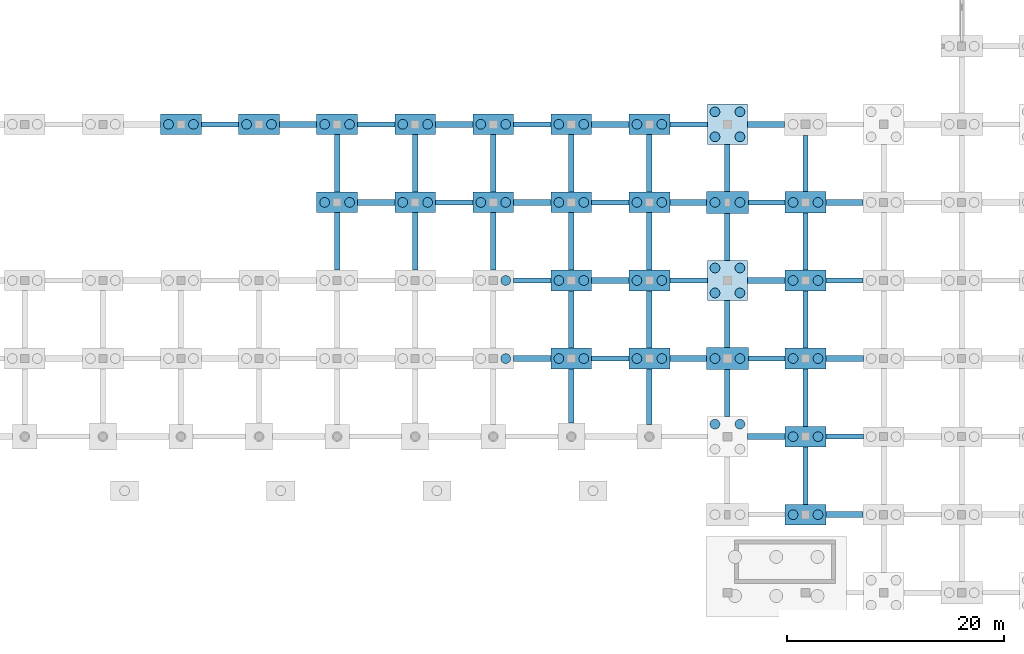
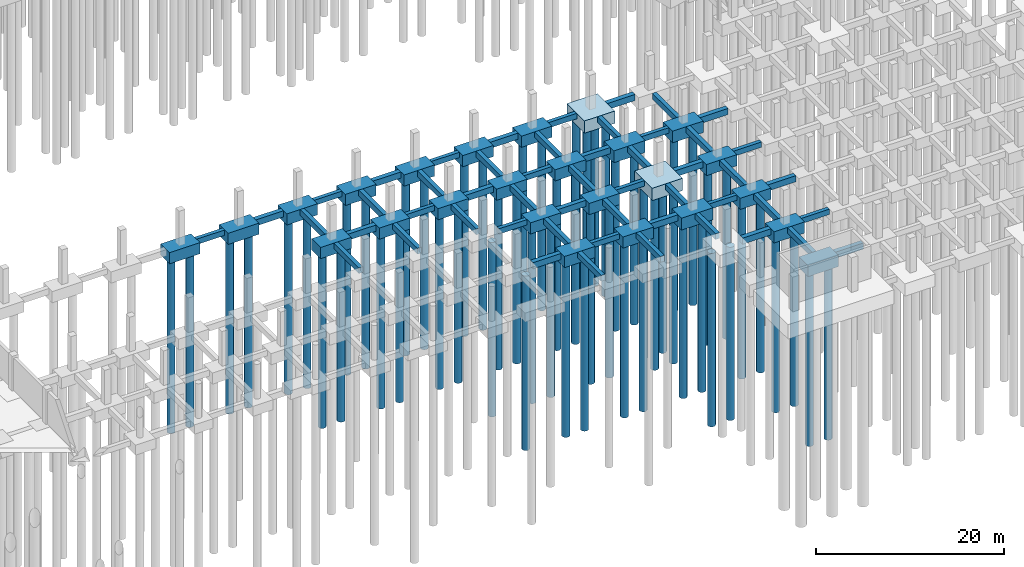
# One storey, part 5 of 36: 76 footings, 58 piles.
"""IFC4 building model written with IfcOpenShell, lengths in metres."""

from ifc_helpers import new_model, si_unit, direction, frame, origin, origin_2d, place, context, subcontext, project, spatial, rectangle, circle, extrude, material, material_profile, profile_set, type_object, element, save


model = new_model("IFC4")

# Units and contexts
model_context = context("Model", 3, precision=1e-05, world=origin(), true_north=direction((0.0, 1.0)))
body_context = subcontext(model_context, "Body", "Model", "MODEL_VIEW")
ifc_project = project(units=[si_unit("LENGTHUNIT", "METRE"), si_unit("AREAUNIT", "SQUARE_METRE"), si_unit("VOLUMEUNIT", "CUBIC_METRE"), si_unit("PLANEANGLEUNIT", "RADIAN"), si_unit("MASSUNIT", "GRAM", prefix="KILO")], contexts=[model_context])

# Site, building, storey
site_placement = place(None, origin())
site = spatial("IfcSite", under=ifc_project, at=site_placement, CompositionType="ELEMENT")
building_placement = place(site_placement, origin())
building = spatial("IfcBuilding", under=site, at=building_placement, Name="Kalmorath City Hall", CompositionType="ELEMENT")
storey_placement = place(building_placement, frame((0.0, 0.0, -4.5)))
storey = spatial("IfcBuildingStorey", under=building, at=storey_placement, Name="B1", CompositionType="ELEMENT", Elevation=-4.5)

# Piles
ifc_material_1 = material(Name="Concrete C40/50", Category="concrete")
ifc_material_profile_1 = material_profile(ifc_material_1, circle(Radius=0.449951171875, at=origin_2d()), Name="PILE-D900")
ifc_profile_set_1 = profile_set([ifc_material_profile_1], Name="Concrete C40/50")
pile_type = type_object("IfcPileType", Name="Bored concrete pile D900", PredefinedType="BORED", material=ifc_profile_set_1)
for number, where, z_axis, x_axis, name in (
    (1, (63.64990234375, 43.199951171875, -1.35009765625), (0.0, 0.0, -1.0), (1.0, 0.0, 0.0), "Bored pile PL-900 10.7.1"),
    (2, (65.949951171875, 43.199951171875, -1.35009765625), (0.0, 0.0, -1.0), (1.0, 0.0, 0.0), "Bored pile PL-900 10.7.2"),
    (3, (70.85009765625, 43.199951171875, -1.35009765625), (0.0, 0.0, -1.0), (1.0, 0.0, 0.0), "Bored pile PL-900 11.7.1"),
    (4, (73.14990234375, 43.199951171875, -1.35009765625), (0.0, 0.0, -1.0), (1.0, 0.0, 0.0), "Bored pile PL-900 11.7.2"),
    (5, (78.050048828125, 36.0, -1.35009765625), (0.0, 0.0, -1.0), (1.0, 0.0, 0.0), "Bored pile PL-900 12.6.1"),
    (6, (80.35009765625, 36.0, -1.35009765625), (0.0, 0.0, -1.0), (1.0, 0.0, 0.0), "Bored pile PL-900 12.6.2"),
    (7, (78.050048828125, 43.199951171875, -1.35009765625), (0.0, 0.0, -1.0), (1.0, 0.0, 0.0), "Bored pile PL-900 12.7.1"),
    (8, (80.35009765625, 43.199951171875, -1.35009765625), (0.0, 0.0, -1.0), (1.0, 0.0, 0.0), "Bored pile PL-900 12.7.2"),
    (9, (85.25, 36.0, -1.35009765625), (0.0, 0.0, -1.0), (1.0, 0.0, 0.0), "Bored pile PL-900 13.6.1"),
    (10, (87.550048828125, 36.0, -1.35009765625), (0.0, 0.0, -1.0), (1.0, 0.0, 0.0), "Bored pile PL-900 13.6.2"),
    (11, (85.25, 43.199951171875, -1.35009765625), (0.0, 0.0, -1.0), (1.0, 0.0, 0.0), "Bored pile PL-900 13.7.1"),
    (12, (87.550048828125, 43.199951171875, -1.35009765625), (0.0, 0.0, -1.0), (1.0, 0.0, 0.0), "Bored pile PL-900 13.7.2"),
    (13, (94.75, 21.60009765625, -1.35009765625), (0.0, 0.0, -1.0), (1.0, 0.0, 0.0), "Bored pile PL-900 14.4.2"),
    (14, (94.75, 28.800048828125, -1.35009765625), (0.0, 0.0, -1.0), (1.0, 0.0, 0.0), "Bored pile PL-900 14.5.2"),
    (15, (92.449951171875, 36.0, -1.35009765625), (0.0, 0.0, -1.0), (1.0, 0.0, 0.0), "Bored pile PL-900 14.6.1"),
    (16, (94.75, 36.0, -1.35009765625), (0.0, 0.0, -1.0), (1.0, 0.0, 0.0), "Bored pile PL-900 14.6.2"),
    (17, (92.449951171875, 43.199951171875, -1.35009765625), (0.0, 0.0, -1.0), (1.0, 0.0, 0.0), "Bored pile PL-900 14.7.1"),
    (18, (94.75, 43.199951171875, -1.35009765625), (0.0, 0.0, -1.0), (1.0, 0.0, 0.0), "Bored pile PL-900 14.7.2"),
    (19, (99.64990234375, 21.60009765625, -1.35009765625), (0.0, 0.0, -1.0), (1.0, 0.0, 0.0), "Bored pile PL-900 15.4.1"),
    (20, (101.949951171875, 21.60009765625, -1.35009765625), (0.0, 0.0, -1.0), (1.0, 0.0, 0.0), "Bored pile PL-900 15.4.2"),
    (21, (99.64990234375, 28.800048828125, -1.35009765625), (0.0, 0.0, -1.0), (1.0, 0.0, 0.0), "Bored pile PL-900 15.5.1"),
    (22, (101.949951171875, 28.800048828125, -1.35009765625), (0.0, 0.0, -1.0), (1.0, 0.0, 0.0), "Bored pile PL-900 15.5.2"),
    (23, (99.64990234375, 36.0, -1.35009765625), (0.0, 0.0, -1.0), (1.0, 0.0, 0.0), "Bored pile PL-900 15.6.1"),
    (24, (101.949951171875, 36.0, -1.35009765625), (0.0, 0.0, -1.0), (1.0, 0.0, 0.0), "Bored pile PL-900 15.6.2"),
    (25, (99.64990234375, 43.199951171875, -1.35009765625), (0.0, 0.0, -1.0), (1.0, 0.0, 0.0), "Bored pile PL-900 15.7.1"),
    (26, (101.949951171875, 43.199951171875, -1.35009765625), (0.0, 0.0, -1.0), (1.0, 0.0, 0.0), "Bored pile PL-900 15.7.2"),
    (27, (106.85009765625, 21.60009765625, -1.35009765625), (0.0, 0.0, -1.0), (1.0, 0.0, 0.0), "Bored pile PL-900 16.4.1"),
    (28, (109.14990234375, 21.60009765625, -1.35009765625), (0.0, 0.0, -1.0), (1.0, 0.0, 0.0), "Bored pile PL-900 16.4.2"),
    (29, (106.85009765625, 28.800048828125, -1.35009765625), (0.0, 0.0, -1.0), (1.0, 0.0, 0.0), "Bored pile PL-900 16.5.1"),
    (30, (109.14990234375, 28.800048828125, -1.35009765625), (0.0, 0.0, -1.0), (1.0, 0.0, 0.0), "Bored pile PL-900 16.5.2"),
    (31, (106.85009765625, 36.0, -1.35009765625), (0.0, 0.0, -1.0), (1.0, 0.0, 0.0), "Bored pile PL-900 16.6.1"),
    (32, (109.14990234375, 36.0, -1.35009765625), (0.0, 0.0, -1.0), (1.0, 0.0, 0.0), "Bored pile PL-900 16.6.2"),
    (33, (106.85009765625, 43.199951171875, -1.35009765625), (0.0, 0.0, -1.0), (1.0, 0.0, 0.0), "Bored pile PL-900 16.7.1"),
    (34, (109.14990234375, 43.199951171875, -1.35009765625), (0.0, 0.0, -1.0), (1.0, 0.0, 0.0), "Bored pile PL-900 16.7.2"),
):
    element("IfcPile", number, at=place(storey_placement, frame(where, z_axis=z_axis, x_axis=x_axis)), inside=storey, type_object=pile_type, Name=name, PredefinedType="BORED", context=body_context, shape_type="SweptSolid", body=[
        extrude(circle(Radius=0.449951171875, at=origin_2d()), origin(), (0.0, 0.0, 1.0), 22.64990234375),
    ])
for number, where, z_axis, x_axis, name in (
    (35, (114.050048828125, 15.550048828125, -1.5), (0.0, 0.0, -1.0), (1.0, 0.0, 0.0), "Bored pile PL-900 17.3.3"),
    (36, (116.35009765625, 15.550048828125, -1.5), (0.0, 0.0, -1.0), (1.0, 0.0, 0.0), "Bored pile PL-900 17.3.4"),
):
    element("IfcPile", number, at=place(storey_placement, frame(where, z_axis=z_axis, x_axis=x_axis)), inside=storey, type_object=pile_type, Name=name, PredefinedType="BORED", context=body_context, shape_type="SweptSolid", body=[
        extrude(circle(Radius=0.449951171875, at=origin_2d()), origin(), (0.0, 0.0, 1.0), 22.5),
    ])
for number, where, z_axis, x_axis, name in (
    (37, (114.050048828125, 21.60009765625, -1.449951171875), (0.0, 0.0, -1.0), (1.0, 0.0, 0.0), "Bored pile PL-900 17.4.1"),
    (38, (116.35009765625, 21.60009765625, -1.449951171875), (0.0, 0.0, -1.0), (1.0, 0.0, 0.0), "Bored pile PL-900 17.4.2"),
):
    element("IfcPile", number, at=place(storey_placement, frame(where, z_axis=z_axis, x_axis=x_axis)), inside=storey, type_object=pile_type, Name=name, PredefinedType="BORED", context=body_context, shape_type="SweptSolid", body=[
        extrude(circle(Radius=0.449951171875, at=origin_2d()), origin(), (0.0, 0.0, 1.0), 22.550048828125),
    ])
for number, where, z_axis, x_axis, name in (
    (39, (114.050048828125, 27.64990234375, -1.5), (0.0, 0.0, -1.0), (1.0, 0.0, 0.0), "Bored pile PL-900 17.5.1"),
    (40, (116.35009765625, 27.64990234375, -1.5), (0.0, 0.0, -1.0), (1.0, 0.0, 0.0), "Bored pile PL-900 17.5.2"),
    (41, (114.050048828125, 29.949951171875, -1.5), (0.0, 0.0, -1.0), (1.0, 0.0, 0.0), "Bored pile PL-900 17.5.3"),
    (42, (116.35009765625, 29.949951171875, -1.5), (0.0, 0.0, -1.0), (1.0, 0.0, 0.0), "Bored pile PL-900 17.5.4"),
):
    element("IfcPile", number, at=place(storey_placement, frame(where, z_axis=z_axis, x_axis=x_axis)), inside=storey, type_object=pile_type, Name=name, PredefinedType="BORED", context=body_context, shape_type="SweptSolid", body=[
        extrude(circle(Radius=0.449951171875, at=origin_2d()), origin(), (0.0, 0.0, 1.0), 22.5),
    ])
for number, where, z_axis, x_axis, name in (
    (43, (114.050048828125, 36.0, -1.449951171875), (0.0, 0.0, -1.0), (1.0, 0.0, 0.0), "Bored pile PL-900 17.6.1"),
    (44, (116.35009765625, 36.0, -1.449951171875), (0.0, 0.0, -1.0), (1.0, 0.0, 0.0), "Bored pile PL-900 17.6.2"),
):
    element("IfcPile", number, at=place(storey_placement, frame(where, z_axis=z_axis, x_axis=x_axis)), inside=storey, type_object=pile_type, Name=name, PredefinedType="BORED", context=body_context, shape_type="SweptSolid", body=[
        extrude(circle(Radius=0.449951171875, at=origin_2d()), origin(), (0.0, 0.0, 1.0), 22.550048828125),
    ])
for number, where, z_axis, x_axis, name in (
    (45, (114.050048828125, 42.050048828125, -1.5), (0.0, 0.0, -1.0), (1.0, 0.0, 0.0), "Bored pile PL-900 17.7.1"),
    (46, (116.35009765625, 42.050048828125, -1.5), (0.0, 0.0, -1.0), (1.0, 0.0, 0.0), "Bored pile PL-900 17.7.2"),
    (47, (114.050048828125, 44.35009765625, -1.5), (0.0, 0.0, -1.0), (1.0, 0.0, 0.0), "Bored pile PL-900 17.7.3"),
    (48, (116.35009765625, 44.35009765625, -1.5), (0.0, 0.0, -1.0), (1.0, 0.0, 0.0), "Bored pile PL-900 17.7.4"),
):
    element("IfcPile", number, at=place(storey_placement, frame(where, z_axis=z_axis, x_axis=x_axis)), inside=storey, type_object=pile_type, Name=name, PredefinedType="BORED", context=body_context, shape_type="SweptSolid", body=[
        extrude(circle(Radius=0.449951171875, at=origin_2d()), origin(), (0.0, 0.0, 1.0), 22.5),
    ])
for number, where, z_axis, x_axis, name in (
    (49, (121.25, 7.199951171875, -1.35009765625), (0.0, 0.0, -1.0), (1.0, 0.0, 0.0), "Bored pile PL-900 18.2.1"),
    (50, (123.550048828125, 7.199951171875, -1.35009765625), (0.0, 0.0, -1.0), (1.0, 0.0, 0.0), "Bored pile PL-900 18.2.2"),
    (51, (121.25, 14.39990234375, -1.35009765625), (0.0, 0.0, -1.0), (1.0, 0.0, 0.0), "Bored pile PL-900 18.3.1"),
    (52, (123.550048828125, 14.39990234375, -1.35009765625), (0.0, 0.0, -1.0), (1.0, 0.0, 0.0), "Bored pile PL-900 18.3.2"),
    (53, (121.25, 21.60009765625, -1.35009765625), (0.0, 0.0, -1.0), (1.0, 0.0, 0.0), "Bored pile PL-900 18.4.1"),
    (54, (123.550048828125, 21.60009765625, -1.35009765625), (0.0, 0.0, -1.0), (1.0, 0.0, 0.0), "Bored pile PL-900 18.4.2"),
    (55, (121.25, 28.800048828125, -1.35009765625), (0.0, 0.0, -1.0), (1.0, 0.0, 0.0), "Bored pile PL-900 18.5.1"),
    (56, (123.550048828125, 28.800048828125, -1.35009765625), (0.0, 0.0, -1.0), (1.0, 0.0, 0.0), "Bored pile PL-900 18.5.2"),
):
    element("IfcPile", number, at=place(storey_placement, frame(where, z_axis=z_axis, x_axis=x_axis)), inside=storey, type_object=pile_type, Name=name, PredefinedType="BORED", context=body_context, shape_type="SweptSolid", body=[
        extrude(circle(Radius=0.449951171875, at=origin_2d()), origin(), (0.0, 0.0, 1.0), 22.64990234375),
    ])
for number, where, z_axis, x_axis, name in (
    (57, (121.25, 36.0, -1.39990234375), (0.0, 0.0, -1.0), (1.0, 0.0, 0.0), "Bored pile PL-900 18.6.1"),
    (58, (123.550048828125, 36.0, -1.39990234375), (0.0, 0.0, -1.0), (1.0, 0.0, 0.0), "Bored pile PL-900 18.6.2"),
):
    element("IfcPile", number, at=place(storey_placement, frame(where, z_axis=z_axis, x_axis=x_axis)), inside=storey, type_object=pile_type, Name=name, PredefinedType="BORED", context=body_context, shape_type="SweptSolid", body=[
        extrude(circle(Radius=0.449951171875, at=origin_2d()), origin(), (0.0, 0.0, 1.0), 22.60009765625),
    ])

# Footings
ifc_material_2 = material(Name="Concrete C40/50", Category="concrete")
ifc_material_profile_2 = material_profile(ifc_material_2, rectangle(XDim=0.449951171875, YDim=0.699951171875, at=origin_2d()), Name="RC-BM-450X700")
ifc_profile_set_2 = profile_set([ifc_material_profile_2], Name="Concrete C40/50")
footing_type_1 = type_object("IfcFootingType", Name="Concrete ground tie beam 450x700", PredefinedType="FOOTING_BEAM", material=ifc_profile_set_2)
footing_1_placement = place(storey_placement, frame((66.679931640625, 43.199951171875, -0.35009765625), z_axis=(1.0, 0.0, 0.0), x_axis=(0.0, 1.0, 0.0)))
element("IfcFooting", 59, at=footing_1_placement, inside=storey, type_object=footing_type_1, Name="Ground tie beam GB4 X10-7", PredefinedType="FOOTING_BEAM", context=body_context, shape_type="SweptSolid", body=[
    extrude(rectangle(XDim=0.449951171875, YDim=0.699951171875, at=origin_2d()), origin(), (0.0, 0.0, 1.0), 3.440185546875),
])
for number, where, z_axis, x_axis, name in (
    (60, (81.080078125, 43.199951171875, -0.35009765625), (1.0, 0.0, 0.0), (0.0, 1.0, 0.0), "Ground tie beam GB4 X12-7"),
    (61, (88.280029296875, 36.0, -0.35009765625), (1.0, 0.0, 0.0), (0.0, 1.0, 0.0), "Ground tie beam GB4 X13-6"),
    (62, (95.47998046875, 28.800048828125, -0.35009765625), (1.0, 0.0, 0.0), (0.0, 1.0, 0.0), "Ground tie beam GB4 X14-5"),
    (63, (95.47998046875, 43.199951171875, -0.35009765625), (1.0, 0.0, 0.0), (0.0, 1.0, 0.0), "Ground tie beam GB4 X14-7"),
):
    element("IfcFooting", number, at=place(storey_placement, frame(where, z_axis=z_axis, x_axis=x_axis)), inside=storey, type_object=footing_type_1, Name=name, PredefinedType="FOOTING_BEAM", context=body_context, shape_type="SweptSolid", body=[
        extrude(rectangle(XDim=0.449951171875, YDim=0.699951171875, at=origin_2d()), origin(), (0.0, 0.0, 1.0), 3.43994140625),
    ])
for number, where, z_axis, x_axis, name in (
    (64, (102.679931640625, 21.60009765625, -0.35009765625), (1.0, 0.0, 0.0), (0.0, 1.0, 0.0), "Ground tie beam GB4 X15-4"),
    (65, (102.679931640625, 36.0, -0.35009765625), (1.0, 0.0, 0.0), (0.0, 1.0, 0.0), "Ground tie beam GB4 X15-6"),
):
    element("IfcFooting", number, at=place(storey_placement, frame(where, z_axis=z_axis, x_axis=x_axis)), inside=storey, type_object=footing_type_1, Name=name, PredefinedType="FOOTING_BEAM", context=body_context, shape_type="SweptSolid", body=[
        extrude(rectangle(XDim=0.449951171875, YDim=0.699951171875, at=origin_2d()), origin(), (0.0, 0.0, 1.0), 3.440185546875),
    ])
for number, where, z_axis, x_axis, name in (
    (66, (109.8798828125, 28.800048828125, -0.35009765625), (1.0, 0.0, 0.0), (0.0, 1.0, 0.0), "Ground tie beam GB4 X16-5"),
    (67, (109.8798828125, 43.199951171875, -0.35009765625), (1.0, 0.0, 0.0), (0.0, 1.0, 0.0), "Ground tie beam GB4 X16-7"),
):
    element("IfcFooting", number, at=place(storey_placement, frame(where, z_axis=z_axis, x_axis=x_axis)), inside=storey, type_object=footing_type_1, Name=name, PredefinedType="FOOTING_BEAM", context=body_context, shape_type="SweptSolid", body=[
        extrude(rectangle(XDim=0.449951171875, YDim=0.699951171875, at=origin_2d()), origin(), (0.0, 0.0, 1.0), 3.460205078125),
    ])
footing_2_placement = place(storey_placement, frame((117.125, 21.60009765625, -0.35009765625), z_axis=(1.0, 0.0, 0.0), x_axis=(0.0, 1.0, 0.0)))
element("IfcFooting", 68, at=footing_2_placement, inside=storey, type_object=footing_type_1, Name="Ground tie beam GB4 X17-4", PredefinedType="FOOTING_BEAM", context=body_context, shape_type="SweptSolid", body=[
    extrude(rectangle(XDim=0.449951171875, YDim=0.699951171875, at=origin_2d()), origin(), (0.0, 0.0, 1.0), 3.39501953125),
])
footing_3_placement = place(storey_placement, frame((117.125, 36.0, -0.35009765625), z_axis=(1.0, 0.0, 0.0), x_axis=(0.0, 1.0, 0.0)))
element("IfcFooting", 69, at=footing_3_placement, inside=storey, type_object=footing_type_1, Name="Ground tie beam GB4 X17-6", PredefinedType="FOOTING_BEAM", context=body_context, shape_type="SweptSolid", body=[
    extrude(rectangle(XDim=0.449951171875, YDim=0.699951171875, at=origin_2d()), origin(), (0.0, 0.0, 1.0), 3.375),
])
footing_4_placement = place(storey_placement, frame((124.280029296875, 14.39990234375, -0.35009765625), z_axis=(1.0, 0.0, 0.0), x_axis=(0.0, 1.0, 0.0)))
element("IfcFooting", 70, at=footing_4_placement, inside=storey, type_object=footing_type_1, Name="Ground tie beam GB4 X18-3", PredefinedType="FOOTING_BEAM", context=body_context, shape_type="SweptSolid", body=[
    extrude(rectangle(XDim=0.449951171875, YDim=0.699951171875, at=origin_2d()), origin(), (0.0, 0.0, 1.0), 3.4599609375),
])
footing_5_placement = place(storey_placement, frame((124.280029296875, 28.800048828125, -0.35009765625), z_axis=(1.0, 0.0, 0.0), x_axis=(0.0, 1.0, 0.0)))
element("IfcFooting", 71, at=footing_5_placement, inside=storey, type_object=footing_type_1, Name="Ground tie beam GB4 X18-5", PredefinedType="FOOTING_BEAM", context=body_context, shape_type="SweptSolid", body=[
    extrude(rectangle(XDim=0.449951171875, YDim=0.699951171875, at=origin_2d()), origin(), (0.0, 0.0, 1.0), 3.43994140625),
])
ifc_material_3 = material(Name="Concrete C40/50", Category="concrete")
ifc_material_profile_3 = material_profile(ifc_material_3, rectangle(XDim=0.5, YDim=0.75, at=origin_2d()), Name="RC-BM-500X750")
ifc_profile_set_3 = profile_set([ifc_material_profile_3], Name="Concrete C40/50")
footing_type_2 = type_object("IfcFootingType", Name="Concrete ground tie beam 500x750", PredefinedType="FOOTING_BEAM", material=ifc_profile_set_3)
for number, where, z_axis, x_axis, name in (
    (72, (79.199951171875, 29.75, -0.375), (0.0, 1.0, 0.0), (-1.0, 0.0, 0.0), "Ground tie beam GB3 Y12-5"),
    (73, (79.199951171875, 36.949951171875, -0.375), (0.0, 1.0, 0.0), (-1.0, 0.0, 0.0), "Ground tie beam GB3 Y12-6"),
    (74, (86.39990234375, 29.75, -0.375), (0.0, 1.0, 0.0), (-1.0, 0.0, 0.0), "Ground tie beam GB3 Y13-5"),
    (75, (86.39990234375, 36.949951171875, -0.375), (0.0, 1.0, 0.0), (-1.0, 0.0, 0.0), "Ground tie beam GB3 Y13-6"),
    (76, (93.60009765625, 29.75, -0.375), (0.0, 1.0, 0.0), (-1.0, 0.0, 0.0), "Ground tie beam GB3 Y14-5"),
    (77, (93.60009765625, 36.949951171875, -0.375), (0.0, 1.0, 0.0), (-1.0, 0.0, 0.0), "Ground tie beam GB3 Y14-6"),
):
    element("IfcFooting", number, at=place(storey_placement, frame(where, z_axis=z_axis, x_axis=x_axis)), inside=storey, type_object=footing_type_2, Name=name, PredefinedType="FOOTING_BEAM", context=body_context, shape_type="SweptSolid", body=[
        extrude(rectangle(XDim=0.5, YDim=0.75, at=origin_2d()), origin(), (0.0, 0.0, 1.0), 5.300048828125),
    ])
footing_6_placement = place(storey_placement, frame((100.800048828125, 15.64990234375, -0.375), z_axis=(0.0, 1.0, 0.0), x_axis=(-1.0, 0.0, 0.0)))
element("IfcFooting", 78, at=footing_6_placement, inside=storey, type_object=footing_type_2, Name="Ground tie beam GB3 Y15-3", PredefinedType="FOOTING_BEAM", context=body_context, shape_type="SweptSolid", body=[
    extrude(rectangle(XDim=0.5, YDim=0.75, at=origin_2d()), origin(), (0.0, 0.0, 1.0), 5.0),
])
for number, where, z_axis, x_axis, name in (
    (79, (100.800048828125, 22.550048828125, -0.375), (0.0, 1.0, 0.0), (-1.0, 0.0, 0.0), "Ground tie beam GB3 Y15-4"),
    (80, (100.800048828125, 29.75, -0.375), (0.0, 1.0, 0.0), (-1.0, 0.0, 0.0), "Ground tie beam GB3 Y15-5"),
    (81, (100.800048828125, 36.949951171875, -0.375), (0.0, 1.0, 0.0), (-1.0, 0.0, 0.0), "Ground tie beam GB3 Y15-6"),
):
    element("IfcFooting", number, at=place(storey_placement, frame(where, z_axis=z_axis, x_axis=x_axis)), inside=storey, type_object=footing_type_2, Name=name, PredefinedType="FOOTING_BEAM", context=body_context, shape_type="SweptSolid", body=[
        extrude(rectangle(XDim=0.5, YDim=0.75, at=origin_2d()), origin(), (0.0, 0.0, 1.0), 5.300048828125),
    ])
footing_7_placement = place(storey_placement, frame((108.0, 15.52490234375, -0.375), z_axis=(0.0, 1.0, 0.0), x_axis=(-1.0, 0.0, 0.0)))
element("IfcFooting", 82, at=footing_7_placement, inside=storey, type_object=footing_type_2, Name="Ground tie beam GB3 Y16-3", PredefinedType="FOOTING_BEAM", context=body_context, shape_type="SweptSolid", body=[
    extrude(rectangle(XDim=0.5, YDim=0.75, at=origin_2d()), origin(), (0.0, 0.0, 1.0), 5.125),
])
for number, where, z_axis, x_axis, name in (
    (83, (108.0, 22.550048828125, -0.375), (0.0, 1.0, 0.0), (-1.0, 0.0, 0.0), "Ground tie beam GB3 Y16-4"),
    (84, (108.0, 29.75, -0.375), (0.0, 1.0, 0.0), (-1.0, 0.0, 0.0), "Ground tie beam GB3 Y16-5"),
    (85, (108.0, 36.949951171875, -0.375), (0.0, 1.0, 0.0), (-1.0, 0.0, 0.0), "Ground tie beam GB3 Y16-6"),
):
    element("IfcFooting", number, at=place(storey_placement, frame(where, z_axis=z_axis, x_axis=x_axis)), inside=storey, type_object=footing_type_2, Name=name, PredefinedType="FOOTING_BEAM", context=body_context, shape_type="SweptSolid", body=[
        extrude(rectangle(XDim=0.5, YDim=0.75, at=origin_2d()), origin(), (0.0, 0.0, 1.0), 5.300048828125),
    ])
for number, where, z_axis, x_axis, name in (
    (86, (115.199951171875, 16.260009765625, -0.375), (0.0, 1.0, 0.0), (-1.0, 0.0, 0.0), "Ground tie beam GB3 Y17-3"),
    (87, (115.199951171875, 22.625, -0.375), (0.0, 1.0, 0.0), (-1.0, 0.0, 0.0), "Ground tie beam GB3 Y17-4"),
):
    element("IfcFooting", number, at=place(storey_placement, frame(where, z_axis=z_axis, x_axis=x_axis)), inside=storey, type_object=footing_type_2, Name=name, PredefinedType="FOOTING_BEAM", context=body_context, shape_type="SweptSolid", body=[
        extrude(rectangle(XDim=0.5, YDim=0.75, at=origin_2d()), origin(), (0.0, 0.0, 1.0), 4.31494140625),
    ])
for number, where, z_axis, x_axis, name in (
    (88, (115.199951171875, 30.659912109375, -0.375), (0.0, 1.0, 0.0), (-1.0, 0.0, 0.0), "Ground tie beam GB3 Y17-5"),
    (89, (115.199951171875, 37.02490234375, -0.375), (0.0, 1.0, 0.0), (-1.0, 0.0, 0.0), "Ground tie beam GB3 Y17-6"),
):
    element("IfcFooting", number, at=place(storey_placement, frame(where, z_axis=z_axis, x_axis=x_axis)), inside=storey, type_object=footing_type_2, Name=name, PredefinedType="FOOTING_BEAM", context=body_context, shape_type="SweptSolid", body=[
        extrude(rectangle(XDim=0.5, YDim=0.75, at=origin_2d()), origin(), (0.0, 0.0, 1.0), 4.315185546875),
    ])
footing_8_placement = place(storey_placement, frame((122.39990234375, 8.14990234375, -0.375), z_axis=(0.0, 1.0, 0.0), x_axis=(-1.0, 0.0, 0.0)))
element("IfcFooting", 90, at=footing_8_placement, inside=storey, type_object=footing_type_2, Name="Ground tie beam GB3 Y18-2", PredefinedType="FOOTING_BEAM", context=body_context, shape_type="SweptSolid", body=[
    extrude(rectangle(XDim=0.5, YDim=0.75, at=origin_2d()), origin(), (0.0, 0.0, 1.0), 5.300048828125),
])
footing_9_placement = place(storey_placement, frame((122.39990234375, 15.35009765625, -0.375), z_axis=(0.0, 1.0, 0.0), x_axis=(-1.0, 0.0, 0.0)))
element("IfcFooting", 91, at=footing_9_placement, inside=storey, type_object=footing_type_2, Name="Ground tie beam GB3 Y18-3", PredefinedType="FOOTING_BEAM", context=body_context, shape_type="SweptSolid", body=[
    extrude(rectangle(XDim=0.5, YDim=0.75, at=origin_2d()), origin(), (0.0, 0.0, 1.0), 5.2998046875),
])
footing_10_placement = place(storey_placement, frame((122.39990234375, 22.550048828125, -0.375), z_axis=(0.0, 1.0, 0.0), x_axis=(-1.0, 0.0, 0.0)))
element("IfcFooting", 92, at=footing_10_placement, inside=storey, type_object=footing_type_2, Name="Ground tie beam GB3 Y18-4", PredefinedType="FOOTING_BEAM", context=body_context, shape_type="SweptSolid", body=[
    extrude(rectangle(XDim=0.5, YDim=0.75, at=origin_2d()), origin(), (0.0, 0.0, 1.0), 5.300048828125),
])
footing_11_placement = place(storey_placement, frame((122.39990234375, 29.75, -0.375), z_axis=(0.0, 1.0, 0.0), x_axis=(-1.0, 0.0, 0.0)))
element("IfcFooting", 93, at=footing_11_placement, inside=storey, type_object=footing_type_2, Name="Ground tie beam GB3 Y18-5", PredefinedType="FOOTING_BEAM", context=body_context, shape_type="SweptSolid", body=[
    extrude(rectangle(XDim=0.5, YDim=0.75, at=origin_2d()), origin(), (0.0, 0.0, 1.0), 5.260009765625),
])
footing_12_placement = place(storey_placement, frame((122.39990234375, 36.989990234375, -0.375), z_axis=(0.0, 1.0, 0.0), x_axis=(-1.0, 0.0, 0.0)))
element("IfcFooting", 94, at=footing_12_placement, inside=storey, type_object=footing_type_2, Name="Ground tie beam GB3 Y18-6", PredefinedType="FOOTING_BEAM", context=body_context, shape_type="SweptSolid", body=[
    extrude(rectangle(XDim=0.5, YDim=0.75, at=origin_2d()), origin(), (0.0, 0.0, 1.0), 5.18505859375),
])
ifc_material_4 = material(Name="Concrete C40/50", Category="concrete")
ifc_material_profile_4 = material_profile(ifc_material_4, rectangle(XDim=0.550048828125, YDim=0.800048828125, at=origin_2d()), Name="RC-BM-550X800")
ifc_profile_set_4 = profile_set([ifc_material_profile_4], Name="Concrete C40/50")
footing_type_3 = type_object("IfcFootingType", Name="Concrete ground tie beam 550x800", PredefinedType="FOOTING_BEAM", material=ifc_profile_set_4)
footing_13_placement = place(storey_placement, frame((73.8798828125, 43.199951171875, -0.39990234375), z_axis=(1.0, 0.0, 0.0), x_axis=(0.0, 1.0, 0.0)))
element("IfcFooting", 95, at=footing_13_placement, inside=storey, type_object=footing_type_3, Name="Ground tie beam GB2 X11-7", PredefinedType="FOOTING_BEAM", context=body_context, shape_type="SweptSolid", body=[
    extrude(rectangle(XDim=0.550048828125, YDim=0.800048828125, at=origin_2d()), origin(), (0.0, 0.0, 1.0), 3.440185546875),
])
for number, where, z_axis, x_axis, name in (
    (96, (81.080078125, 36.0, -0.39990234375), (1.0, 0.0, 0.0), (0.0, 1.0, 0.0), "Ground tie beam GB2 X12-6"),
    (97, (88.280029296875, 43.199951171875, -0.39990234375), (1.0, 0.0, 0.0), (0.0, 1.0, 0.0), "Ground tie beam GB2 X13-7"),
    (98, (95.47998046875, 21.60009765625, -0.39990234375), (1.0, 0.0, 0.0), (0.0, 1.0, 0.0), "Ground tie beam GB2 X14-4"),
    (99, (95.47998046875, 36.0, -0.39990234375), (1.0, 0.0, 0.0), (0.0, 1.0, 0.0), "Ground tie beam GB2 X14-6"),
):
    element("IfcFooting", number, at=place(storey_placement, frame(where, z_axis=z_axis, x_axis=x_axis)), inside=storey, type_object=footing_type_3, Name=name, PredefinedType="FOOTING_BEAM", context=body_context, shape_type="SweptSolid", body=[
        extrude(rectangle(XDim=0.550048828125, YDim=0.800048828125, at=origin_2d()), origin(), (0.0, 0.0, 1.0), 3.43994140625),
    ])
for number, where, z_axis, x_axis, name in (
    (100, (102.679931640625, 28.800048828125, -0.39990234375), (1.0, 0.0, 0.0), (0.0, 1.0, 0.0), "Ground tie beam GB2 X15-5"),
    (101, (102.679931640625, 43.199951171875, -0.39990234375), (1.0, 0.0, 0.0), (0.0, 1.0, 0.0), "Ground tie beam GB2 X15-7"),
):
    element("IfcFooting", number, at=place(storey_placement, frame(where, z_axis=z_axis, x_axis=x_axis)), inside=storey, type_object=footing_type_3, Name=name, PredefinedType="FOOTING_BEAM", context=body_context, shape_type="SweptSolid", body=[
        extrude(rectangle(XDim=0.550048828125, YDim=0.800048828125, at=origin_2d()), origin(), (0.0, 0.0, 1.0), 3.440185546875),
    ])
for number, where, z_axis, x_axis, name in (
    (102, (109.8798828125, 21.60009765625, -0.39990234375), (1.0, 0.0, 0.0), (0.0, 1.0, 0.0), "Ground tie beam GB2 X16-4"),
    (103, (109.8798828125, 36.0, -0.39990234375), (1.0, 0.0, 0.0), (0.0, 1.0, 0.0), "Ground tie beam GB2 X16-6"),
):
    element("IfcFooting", number, at=place(storey_placement, frame(where, z_axis=z_axis, x_axis=x_axis)), inside=storey, type_object=footing_type_3, Name=name, PredefinedType="FOOTING_BEAM", context=body_context, shape_type="SweptSolid", body=[
        extrude(rectangle(XDim=0.550048828125, YDim=0.800048828125, at=origin_2d()), origin(), (0.0, 0.0, 1.0), 3.39501953125),
    ])
for number, where, z_axis, x_axis, name in (
    (104, (117.06005859375, 14.39990234375, -0.39990234375), (1.0, 0.0, 0.0), (0.0, 1.0, 0.0), "Ground tie beam GB2 X17-3"),
    (105, (117.06005859375, 28.800048828125, -0.39990234375), (1.0, 0.0, 0.0), (0.0, 1.0, 0.0), "Ground tie beam GB2 X17-5"),
):
    element("IfcFooting", number, at=place(storey_placement, frame(where, z_axis=z_axis, x_axis=x_axis)), inside=storey, type_object=footing_type_3, Name=name, PredefinedType="FOOTING_BEAM", context=body_context, shape_type="SweptSolid", body=[
        extrude(rectangle(XDim=0.550048828125, YDim=0.800048828125, at=origin_2d()), origin(), (0.0, 0.0, 1.0), 3.4599609375),
    ])
footing_14_placement = place(storey_placement, frame((117.06005859375, 43.199951171875, -0.39990234375), z_axis=(1.0, 0.0, 0.0), x_axis=(0.0, 1.0, 0.0)))
element("IfcFooting", 106, at=footing_14_placement, inside=storey, type_object=footing_type_3, Name="Ground tie beam GB2 X17-7", PredefinedType="FOOTING_BEAM", context=body_context, shape_type="SweptSolid", body=[
    extrude(rectangle(XDim=0.550048828125, YDim=0.800048828125, at=origin_2d()), origin(), (0.0, 0.0, 1.0), 3.4150390625),
])
footing_15_placement = place(storey_placement, frame((124.280029296875, 7.199951171875, -0.39990234375), z_axis=(1.0, 0.0, 0.0), x_axis=(0.0, 1.0, 0.0)))
element("IfcFooting", 107, at=footing_15_placement, inside=storey, type_object=footing_type_3, Name="Ground tie beam GB2 X18-2", PredefinedType="FOOTING_BEAM", context=body_context, shape_type="SweptSolid", body=[
    extrude(rectangle(XDim=0.550048828125, YDim=0.800048828125, at=origin_2d()), origin(), (0.0, 0.0, 1.0), 3.43994140625),
])
footing_16_placement = place(storey_placement, frame((124.280029296875, 21.60009765625, -0.39990234375), z_axis=(1.0, 0.0, 0.0), x_axis=(0.0, 1.0, 0.0)))
element("IfcFooting", 108, at=footing_16_placement, inside=storey, type_object=footing_type_3, Name="Ground tie beam GB2 X18-4", PredefinedType="FOOTING_BEAM", context=body_context, shape_type="SweptSolid", body=[
    extrude(rectangle(XDim=0.550048828125, YDim=0.800048828125, at=origin_2d()), origin(), (0.0, 0.0, 1.0), 3.4599609375),
])
footing_17_placement = place(storey_placement, frame((124.300048828125, 36.0, -0.39990234375), z_axis=(1.0, 0.0, 0.0), x_axis=(0.0, 1.0, 0.0)))
element("IfcFooting", 109, at=footing_17_placement, inside=storey, type_object=footing_type_3, Name="Ground tie beam GB2 X18-6", PredefinedType="FOOTING_BEAM", context=body_context, shape_type="SweptSolid", body=[
    extrude(rectangle(XDim=0.550048828125, YDim=0.800048828125, at=origin_2d()), origin(), (0.0, 0.0, 1.0), 3.419921875),
])
ifc_material_5 = material(Name="Concrete C40/50", Category="concrete")
footing_type_4 = type_object("IfcFootingType", Name="Four-pile concrete cap 3720x3720x1600", PredefinedType="PILE_CAP", material=ifc_material_5)
for number, where, z_axis, x_axis, name in (
    (110, (115.199951171875, 28.800048828125, -1.60009765625), (0.0, 0.0, 1.0), (1.0, 0.0, 0.0), "Footing PC3 (17/5)"),
    (111, (115.199951171875, 43.199951171875, -1.60009765625), (0.0, 0.0, 1.0), (1.0, 0.0, 0.0), "Footing PC3 (17/7)"),
):
    element("IfcFooting", number, at=place(storey_placement, frame(where, z_axis=z_axis, x_axis=x_axis)), inside=storey, type_object=footing_type_4, Name=name, PredefinedType="PILE_CAP", context=body_context, shape_type="SweptSolid", body=[
        extrude(rectangle(XDim=3.719970703125, YDim=3.719970703125, at=origin_2d()), origin(), (0.0, 0.0, 1.0), 1.60009765625),
    ])
ifc_material_6 = material(Name="Concrete C40/50", Category="concrete")
footing_type_5 = type_object("IfcFootingType", Name="Two-pile concrete cap 3760x1900x1450", PredefinedType="PILE_CAP", material=ifc_material_6)
for number, where, z_axis, x_axis, name in (
    (112, (64.800048828125, 43.199951171875, -1.4501953125), (0.0, 0.0, 1.0), (1.0, 0.0, 0.0), "Footing PC8 (10/7)"),
    (113, (72.0, 43.199951171875, -1.4501953125), (0.0, 0.0, 1.0), (1.0, 0.0, 0.0), "Footing PC8 (11/7)"),
    (114, (79.199951171875, 36.0, -1.4501953125), (0.0, 0.0, 1.0), (1.0, 0.0, 0.0), "Footing PC8 (12/6)"),
    (115, (79.199951171875, 43.199951171875, -1.4501953125), (0.0, 0.0, 1.0), (1.0, 0.0, 0.0), "Footing PC8 (12/7)"),
    (116, (86.39990234375, 36.0, -1.4501953125), (0.0, 0.0, 1.0), (1.0, 0.0, 0.0), "Footing PC8 (13/6)"),
    (117, (86.39990234375, 43.199951171875, -1.4501953125), (0.0, 0.0, 1.0), (1.0, 0.0, 0.0), "Footing PC8 (13/7)"),
    (118, (93.60009765625, 36.0, -1.4501953125), (0.0, 0.0, 1.0), (1.0, 0.0, 0.0), "Footing PC8 (14/6)"),
    (119, (93.60009765625, 43.199951171875, -1.4501953125), (0.0, 0.0, 1.0), (1.0, 0.0, 0.0), "Footing PC8 (14/7)"),
    (120, (100.800048828125, 21.60009765625, -1.4501953125), (0.0, 0.0, 1.0), (1.0, 0.0, 0.0), "Footing PC8 (15/4)"),
    (121, (100.800048828125, 28.800048828125, -1.4501953125), (0.0, 0.0, 1.0), (1.0, 0.0, 0.0), "Footing PC8 (15/5)"),
    (122, (100.800048828125, 36.0, -1.4501953125), (0.0, 0.0, 1.0), (1.0, 0.0, 0.0), "Footing PC8 (15/6)"),
    (123, (100.800048828125, 43.199951171875, -1.4501953125), (0.0, 0.0, 1.0), (1.0, 0.0, 0.0), "Footing PC8 (15/7)"),
    (124, (108.0, 21.60009765625, -1.4501953125), (0.0, 0.0, 1.0), (1.0, 0.0, 0.0), "Footing PC8 (16/4)"),
    (125, (108.0, 28.800048828125, -1.4501953125), (0.0, 0.0, 1.0), (1.0, 0.0, 0.0), "Footing PC8 (16/5)"),
    (126, (108.0, 36.0, -1.4501953125), (0.0, 0.0, 1.0), (1.0, 0.0, 0.0), "Footing PC8 (16/6)"),
    (127, (108.0, 43.199951171875, -1.4501953125), (0.0, 0.0, 1.0), (1.0, 0.0, 0.0), "Footing PC8 (16/7)"),
    (128, (122.39990234375, 7.199951171875, -1.4501953125), (0.0, 0.0, 1.0), (1.0, 0.0, 0.0), "Footing PC8 (18/2)"),
    (129, (122.39990234375, 14.39990234375, -1.4501953125), (0.0, 0.0, 1.0), (1.0, 0.0, 0.0), "Footing PC8 (18/3)"),
    (130, (122.39990234375, 21.60009765625, -1.4501953125), (0.0, 0.0, 1.0), (1.0, 0.0, 0.0), "Footing PC8 (18/4)"),
    (131, (122.39990234375, 28.800048828125, -1.4501953125), (0.0, 0.0, 1.0), (1.0, 0.0, 0.0), "Footing PC8 (18/5)"),
):
    element("IfcFooting", number, at=place(storey_placement, frame(where, z_axis=z_axis, x_axis=x_axis)), inside=storey, type_object=footing_type_5, Name=name, PredefinedType="PILE_CAP", context=body_context, shape_type="SweptSolid", body=[
        extrude(rectangle(XDim=3.760009765625, YDim=1.89990234375, at=origin_2d()), origin(), (0.0, 0.0, 1.0), 1.449951171875),
    ])
ifc_material_7 = material(Name="Concrete C40/50", Category="concrete")
footing_type_6 = type_object("IfcFootingType", Name="Two-pile concrete cap 3800x1980x1500", PredefinedType="PILE_CAP", material=ifc_material_7)
footing_18_placement = place(storey_placement, frame((122.39990234375, 36.0, -1.5), z_axis=(0.0, 0.0, 1.0), x_axis=(1.0, 0.0, 0.0)))
element("IfcFooting", 132, at=footing_18_placement, inside=storey, type_object=footing_type_6, Name="Footing PC7 (18/6)", PredefinedType="PILE_CAP", context=body_context, shape_type="SweptSolid", body=[
    extrude(rectangle(XDim=3.800048828125, YDim=1.97998046875, at=origin_2d()), origin(), (0.0, 0.0, 1.0), 1.5),
])
ifc_material_8 = material(Name="Concrete C40/50", Category="concrete")
footing_type_7 = type_object("IfcFootingType", Name="Two-pile concrete cap 3850x2050x1550", PredefinedType="PILE_CAP", material=ifc_material_8)
for number, where, z_axis, x_axis, name in (
    (133, (115.199951171875, 21.60009765625, -1.5498046875), (0.0, 0.0, 1.0), (1.0, 0.0, 0.0), "Footing PC6 (17/4)"),
    (134, (115.199951171875, 36.0, -1.5498046875), (0.0, 0.0, 1.0), (1.0, 0.0, 0.0), "Footing PC6 (17/6)"),
):
    element("IfcFooting", number, at=place(storey_placement, frame(where, z_axis=z_axis, x_axis=x_axis)), inside=storey, type_object=footing_type_7, Name=name, PredefinedType="PILE_CAP", context=body_context, shape_type="SweptSolid", body=[
        extrude(rectangle(XDim=3.85009765625, YDim=2.050048828125, at=origin_2d()), origin(), (0.0, 0.0, 1.0), 1.550048828125),
    ])

save(model, "model.ifc")
